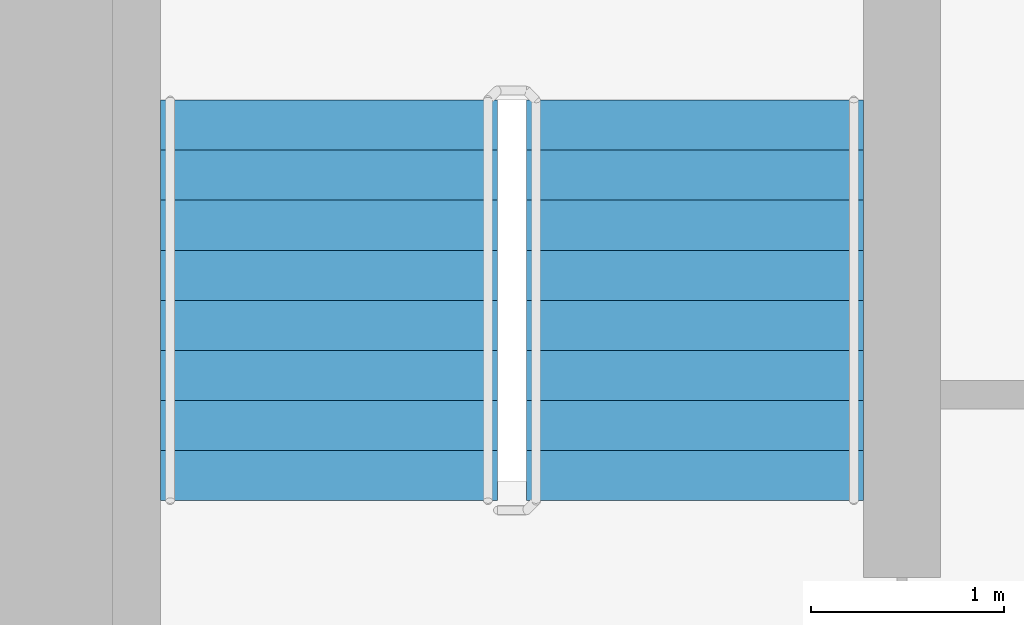
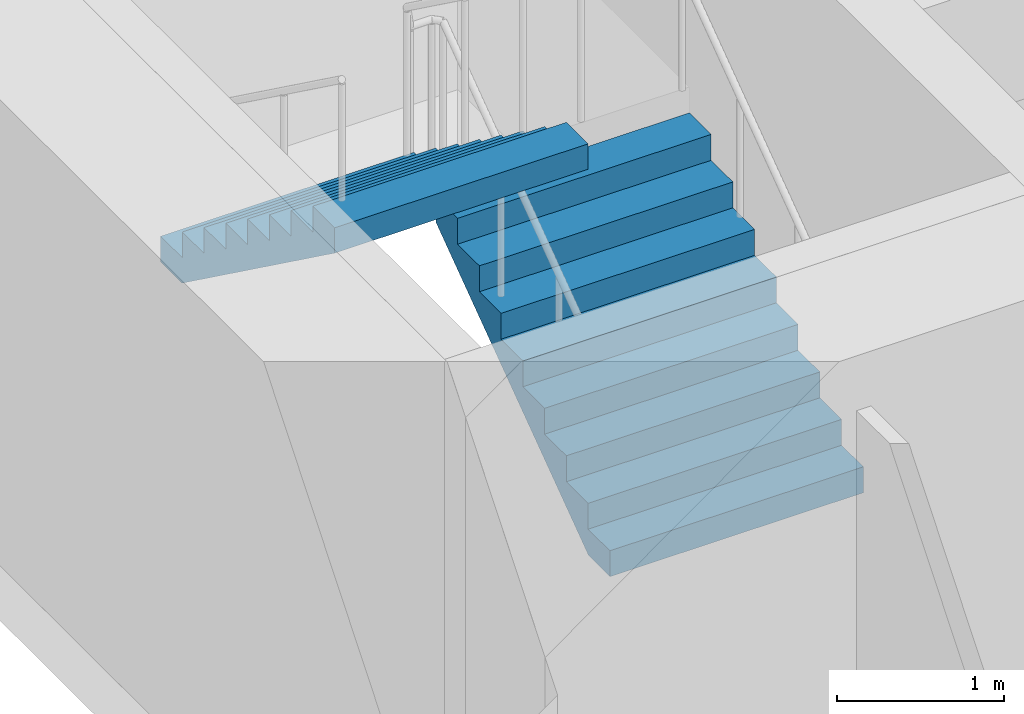
# One storey, part 18 of 22: 2 stair flights, 1 element without a shape of its own.
"""IFC4 building model written with IfcOpenShell, lengths in metres."""

import ifcopenshell
import ifcopenshell.guid

model = None  # the IFC model being written
_history = None  # IfcOwnerHistory: only IFC2X3 demands one
_inside = {}  # id of a spatial element -> (the spatial element, [elements in it])
_under = {}  # id of a project, library or spatial element -> (it, [spatial elements below it])
_declared = {}  # id of a project -> (the project, [libraries it declares])
_typed = {}  # id of a type object -> (the type object, [elements of that type])
_made_of = {}  # id of a material, layer set ... -> (it, [elements and type objects made of it])


def new_model(schema):
    """Start an empty IFC model of exactly this schema.

    Asked for "IFC4X3", IfcOpenShell would pick the latest addendum, in which some entities
    have other attributes; the version numbers below select the first issue.
    IFC2X3 requires an IfcOwnerHistory on every rooted entity: one is made here for all.
    """
    global model, _history
    if schema == "IFC4X3":
        model = ifcopenshell.file(schema_version=(4, 3, 0, 0))
    else:
        model = ifcopenshell.file(schema=schema)
    _inside.clear()
    _under.clear()
    _declared.clear()
    _typed.clear()
    _made_of.clear()
    _history = None
    if model.schema == "IFC2X3":
        org = make("IfcOrganization", Name="unknown")
        user = make(
            "IfcPersonAndOrganization",
            ThePerson=make("IfcPerson", FamilyName="unknown"),
            TheOrganization=org,
        )
        app = make(
            "IfcApplication",
            ApplicationDeveloper=org,
            Version="unknown",
            ApplicationFullName="unknown",
            ApplicationIdentifier="unknown",
        )
        _history = make(
            "IfcOwnerHistory",
            OwningUser=user,
            OwningApplication=app,
            ChangeAction="ADDED",
            CreationDate=0,
        )
    return model


def make(cls, **values):
    """One entity of the class cls with the attributes given. An attribute that is None is left unset."""
    return model.create_entity(
        cls, **{name: value for name, value in values.items() if value is not None}
    )


def rooted(cls, **values):
    """An entity with a GlobalId (a new one), such as an element, a storey or a relation."""
    return make(cls, GlobalId=ifcopenshell.guid.new(), OwnerHistory=_history, **values)


def si_unit(unit_type, name, prefix=None):
    """IfcSIUnit, for example si_unit("LENGTHUNIT", "METRE", prefix="MILLI")."""
    return make("IfcSIUnit", UnitType=unit_type, Prefix=prefix, Name=name)


def assignment(units):
    """IfcUnitAssignment: the units of a project."""
    return None if units is None else make("IfcUnitAssignment", Units=units)


def point(xyz):
    """IfcCartesianPoint."""
    return None if xyz is None else make("IfcCartesianPoint", Coordinates=xyz)


def direction(xyz):
    """IfcDirection."""
    return None if xyz is None else make("IfcDirection", DirectionRatios=xyz)


def frame(location, z_axis=None, x_axis=None):
    """IfcAxis2Placement3D, a coordinate frame: its origin and axes. An axis left out is left unset."""
    return make(
        "IfcAxis2Placement3D",
        Location=point(location),
        Axis=direction(z_axis),
        RefDirection=direction(x_axis),
    )


def origin():
    """The frame at (0, 0, 0) with its axes left unset."""
    return frame((0.0, 0.0, 0.0))


def place(relative_to, where):
    """IfcLocalPlacement: puts the frame where relative to a parent placement (None: the world)."""
    return make(
        "IfcLocalPlacement", PlacementRelTo=relative_to, RelativePlacement=where
    )


def context(
    kind, dimensions, precision=None, world=None, true_north=None, identifier=None
):
    """IfcGeometricRepresentationContext, for example the 3D "Model" context."""
    return make(
        "IfcGeometricRepresentationContext",
        ContextIdentifier=identifier,
        ContextType=kind,
        CoordinateSpaceDimension=dimensions,
        Precision=precision,
        WorldCoordinateSystem=world,
        TrueNorth=true_north,
    )


def subcontext(parent, identifier, kind, view, scale=None):
    """IfcGeometricRepresentationSubContext, for example "Body" below "Model"."""
    return make(
        "IfcGeometricRepresentationSubContext",
        ContextIdentifier=identifier,
        ContextType=kind,
        ParentContext=parent,
        TargetScale=scale,
        TargetView=view,
    )


def project(units=None, contexts=None):
    """IfcProject with its units and contexts."""
    return rooted(
        "IfcProject",
        Name="project",
        RepresentationContexts=contexts,
        UnitsInContext=assignment(units),
    )


def spatial(cls, under=None, at=None, **own):
    """A site, building, storey or space (cls), placed at a placement, below another one or the project."""
    s = rooted(cls, ObjectPlacement=at, **own)
    if under is not None:
        _under.setdefault(under.id(), (under, []))[1].append(s)
    return s


def faces_of(points, faces, orient=None, outer=None):
    """IfcFace entities. A face is a list of loops; a loop is a list of indices into points, from 0.

    orient and outer hold one flag for each loop. By default every Orientation is true, the
    first loop of a face is its IfcFaceOuterBound and the others are IfcFaceBound.
    """
    made = []
    for i, loops in enumerate(faces):
        bounds = []
        for j, loop in enumerate(loops):
            is_outer = j == 0 if outer is None else outer[i][j]
            bounds.append(
                make(
                    "IfcFaceOuterBound" if is_outer else "IfcFaceBound",
                    Bound=make("IfcPolyLoop", Polygon=[points[k] for k in loop]),
                    Orientation=True if orient is None else orient[i][j],
                )
            )
        made.append(make("IfcFace", Bounds=bounds))
    return made


def faceted_brep(points, faces, orient=None, outer=None, voids=None):
    """IfcFacetedBrep: a solid bounded by flat faces; with voids (closed shells), ...WithVoids."""
    shared = [point(p) for p in points]
    hull = make("IfcClosedShell", CfsFaces=faces_of(shared, faces, orient, outer))
    if voids is None:
        return make("IfcFacetedBrep", Outer=hull)
    return make(
        "IfcFacetedBrepWithVoids",
        Outer=hull,
        Voids=[
            make(cls, CfsFaces=faces_of(shared, fs, o, b)) for cls, fs, o, b in voids
        ],
    )


def shape(context_of_items, identifier, shape_type, items):
    """IfcShapeRepresentation: the items that make up one representation, for example the "Body"."""
    return make(
        "IfcShapeRepresentation",
        ContextOfItems=context_of_items,
        RepresentationIdentifier=identifier,
        RepresentationType=shape_type,
        Items=items,
    )


def material(Name=None, Category=None):
    """IfcMaterial."""
    return make("IfcMaterial", Name=Name, Category=Category)


def made_of(thing, what):
    """Note that an element or type object is made of a material, layer set ...; save() writes the relation."""
    if what is not None:
        _made_of.setdefault(what.id(), (what, []))[1].append(thing)
    return thing


def type_object(cls, material=None, **own):
    """A type object (cls), such as IfcWallType, which elements share."""
    return made_of(rooted(cls, **own), material)


def element(
    cls,
    number,
    at=None,
    inside=None,
    cuts=None,
    type_object=None,
    material=None,
    context=None,
    identifier="Body",
    shape_type=None,
    held_by="IfcProductDefinitionShape",
    body=None,
    shapes=None,
    **own,
):
    """One element of the class cls, such as IfcWall. Its Tag is "e" and its number.

    at: its placement. inside: the storey or other place that contains it. cuts: it is an
    opening in that element (IfcRelVoidsElement). A single representation is given by context,
    identifier, shape_type and body (its items); several are given by shapes. held_by: the class
    of the entity that holds the representations. save() writes the other relations.
    """
    e = rooted(cls, Tag="e%d" % number, ObjectPlacement=at, **own)
    if body is not None:
        shapes = [shape(context, identifier, shape_type, body)]
    if shapes is not None:
        e.Representation = make(held_by, Representations=shapes)
    if inside is not None:
        _inside.setdefault(inside.id(), (inside, []))[1].append(e)
    if cuts is not None:
        rooted(
            "IfcRelVoidsElement", RelatingBuildingElement=cuts, RelatedOpeningElement=e
        )
    if type_object is not None:
        _typed.setdefault(type_object.id(), (type_object, []))[1].append(e)
    return made_of(e, material)


def aggregate(whole, parts):
    """IfcRelAggregates: a whole, such as a stair, and the parts it consists of."""
    return rooted("IfcRelAggregates", RelatingObject=whole, RelatedObjects=parts)


def save(model, path):
    """Write the relations noted so far, then the file.

    IfcRelAggregates (storeys below a building ...), IfcRelContainedInSpatialStructure (elements
    in a storey), IfcRelDefinesByType, IfcRelAssociatesMaterial and IfcRelDeclares: one each for
    every whole, place, type object, material and project.
    """
    for whole, parts in _under.values():
        aggregate(whole, parts)
    for where, things in _inside.values():
        rooted(
            "IfcRelContainedInSpatialStructure",
            RelatedElements=things,
            RelatingStructure=where,
        )
    for kind, things in _typed.values():
        rooted("IfcRelDefinesByType", RelatedObjects=things, RelatingType=kind)
    for what, things in _made_of.values():
        rooted("IfcRelAssociatesMaterial", RelatedObjects=things, RelatingMaterial=what)
    for by, libraries in _declared.values():
        rooted("IfcRelDeclares", RelatingContext=by, RelatedDefinitions=libraries)
    model.write(path)


model = new_model("IFC4")

# Units and contexts
model_context = context("Model", 3, precision=1e-05, world=origin(), true_north=direction((0.0, 1.0)))
body_context = subcontext(model_context, "Body", "Model", "MODEL_VIEW")
ifc_project = project(units=[si_unit("LENGTHUNIT", "METRE"), si_unit("AREAUNIT", "SQUARE_METRE"), si_unit("VOLUMEUNIT", "CUBIC_METRE"), si_unit("PLANEANGLEUNIT", "RADIAN"), si_unit("MASSUNIT", "GRAM", prefix="KILO")], contexts=[model_context])

# Site, building, storey
site_placement = place(None, origin())
site = spatial("IfcSite", under=ifc_project, at=site_placement, CompositionType="ELEMENT")
building_placement = place(site_placement, origin())
building = spatial("IfcBuilding", under=site, at=building_placement, Name="Ipe Terrace Towers", CompositionType="ELEMENT")
storey_placement = place(building_placement, frame((0.0, 0.0, 90.199951171875)))
storey = spatial("IfcBuildingStorey", under=building, at=storey_placement, Name="L24", CompositionType="ELEMENT", Elevation=90.199951171875)

# Stair, stair flights
ifc_material_1 = material(Name="Concrete C30/37", Category="concrete")
stair_type = type_object("IfcStairType", Name="Protected exit stair", PredefinedType="HALF_TURN_STAIR", material=ifc_material_1)
stair_placement = place(storey_placement, origin())
stair = element("IfcStair", 1, at=stair_placement, inside=storey, type_object=stair_type, Name="L24 Exit stair T2-C1", PredefinedType="HALF_TURN_STAIR")
ifc_material_2 = material(Name="Concrete C30/37", Category="concrete")
stair_flight_type = type_object("IfcStairFlightType", Name="Exit stair flight 1750", PredefinedType="STRAIGHT", material=ifc_material_2)
stair_flight_1_placement = place(storey_placement, frame((33.22509765625, 9.699951171875, 0.0), z_axis=(0.0, 0.0, 1.0), x_axis=(0.0, 1.0, 0.0)))
stair_flight_1 = element("IfcStairFlight", 2, at=stair_flight_1_placement, type_object=stair_flight_type, Name="T2-ST1 flight 1", NumberOfRisers=9, NumberOfTreads=8, PredefinedType="STRAIGHT", RiserHeight=0.188888889, TreadLength=0.26, context=body_context, shape_type="Brep", body=[
    faceted_brep([(0.255126953125, -0.875, 0.0), (2.080078125, -0.875, 1.325927734375), (2.080078125, -0.875, 1.51123046875), (1.820068359375, -0.875, 1.51123046875), (1.820068359375, -0.875, 1.322265625), (1.56005859375, -0.875, 1.322265625), (1.56005859375, -0.875, 1.13330078125), (1.300048828125, -0.875, 1.13330078125), (1.300048828125, -0.875, 0.9443359375), (1.0400390625, -0.875, 0.9443359375), (1.0400390625, -0.875, 0.755615234375), (0.780029296875, -0.875, 0.755615234375), (0.780029296875, -0.875, 0.566650390625), (0.52001953125, -0.875, 0.566650390625), (0.52001953125, -0.875, 0.377685546875), (0.260009765625, -0.875, 0.377685546875), (0.260009765625, -0.875, 0.18896484375), (0.0, -0.875, 0.18896484375), (0.0, -0.875, 0.0), (0.0, 0.875, 0.0), (0.0, 0.875, 0.18896484375), (0.260009765625, 0.875, 0.18896484375), (0.260009765625, 0.875, 0.377685546875), (0.52001953125, 0.875, 0.377685546875), (0.52001953125, 0.875, 0.566650390625), (0.780029296875, 0.875, 0.566650390625), (0.780029296875, 0.875, 0.755615234375), (1.0400390625, 0.875, 0.755615234375), (1.0400390625, 0.875, 0.9443359375), (1.300048828125, 0.875, 0.9443359375), (1.300048828125, 0.875, 1.13330078125), (1.56005859375, 0.875, 1.13330078125), (1.56005859375, 0.875, 1.322265625), (1.820068359375, 0.875, 1.322265625), (1.820068359375, 0.875, 1.51123046875), (2.080078125, 0.875, 1.51123046875), (2.080078125, 0.875, 1.325927734375), (0.255126953125, 0.875, 0.0), (0.0, -0.300048828125, 0.18896484375), (0.0, -0.1201171875, 0.18896484375), (0.0, -0.06005859375, 0.18896484375), (0.0, -0.030029296875, 0.18896484375), (0.0, -0.010009765625, 0.18896484375), (0.0, 0.0, 0.18896484375), (0.0, 0.010009765625, 0.18896484375), (0.0, 0.030029296875, 0.18896484375), (0.0, 0.06005859375, 0.18896484375), (0.0, 0.1201171875, 0.18896484375), (0.0, 0.300048828125, 0.18896484375), (0.0, 0.300048828125, 0.0), (0.0, 0.1201171875, 0.0), (0.0, 0.06005859375, 0.0), (0.0, 0.030029296875, 0.0), (0.0, 0.010009765625, 0.0), (0.0, 0.0, 0.0), (0.0, -0.010009765625, 0.0), (0.0, -0.030029296875, 0.0), (0.0, -0.06005859375, 0.0), (0.0, -0.1201171875, 0.0), (0.0, -0.300048828125, 0.0), (0.260009765625, -0.300048828125, 0.18896484375), (0.260009765625, -0.1201171875, 0.18896484375), (0.260009765625, -0.06005859375, 0.18896484375), (0.260009765625, -0.030029296875, 0.18896484375), (0.260009765625, -0.010009765625, 0.18896484375), (0.260009765625, 0.0, 0.18896484375), (0.260009765625, 0.010009765625, 0.18896484375), (0.260009765625, 0.030029296875, 0.18896484375), (0.260009765625, 0.06005859375, 0.18896484375), (0.260009765625, 0.1201171875, 0.18896484375), (0.260009765625, 0.300048828125, 0.18896484375), (0.260009765625, -0.300048828125, 0.377685546875), (0.260009765625, -0.1201171875, 0.377685546875), (0.260009765625, -0.06005859375, 0.377685546875), (0.260009765625, -0.030029296875, 0.377685546875), (0.260009765625, -0.010009765625, 0.377685546875), (0.260009765625, 0.0, 0.377685546875), (0.260009765625, 0.010009765625, 0.377685546875), (0.260009765625, 0.030029296875, 0.377685546875), (0.260009765625, 0.06005859375, 0.377685546875), (0.260009765625, 0.1201171875, 0.377685546875), (0.260009765625, 0.300048828125, 0.377685546875), (0.52001953125, -0.300048828125, 0.377685546875), (0.52001953125, -0.1201171875, 0.377685546875), (0.52001953125, -0.06005859375, 0.377685546875), (0.52001953125, -0.030029296875, 0.377685546875), (0.52001953125, -0.010009765625, 0.377685546875), (0.52001953125, 0.0, 0.377685546875), (0.52001953125, 0.010009765625, 0.377685546875), (0.52001953125, 0.030029296875, 0.377685546875), (0.52001953125, 0.06005859375, 0.377685546875), (0.52001953125, 0.1201171875, 0.377685546875), (0.52001953125, 0.300048828125, 0.377685546875), (0.52001953125, -0.300048828125, 0.566650390625), (0.52001953125, -0.1201171875, 0.566650390625), (0.52001953125, -0.06005859375, 0.566650390625), (0.52001953125, -0.030029296875, 0.566650390625), (0.52001953125, -0.010009765625, 0.566650390625), (0.52001953125, 0.0, 0.566650390625), (0.52001953125, 0.010009765625, 0.566650390625), (0.52001953125, 0.030029296875, 0.566650390625), (0.52001953125, 0.06005859375, 0.566650390625), (0.52001953125, 0.1201171875, 0.566650390625), (0.52001953125, 0.300048828125, 0.566650390625), (0.780029296875, -0.300048828125, 0.566650390625), (0.780029296875, -0.1201171875, 0.566650390625), (0.780029296875, -0.06005859375, 0.566650390625), (0.780029296875, -0.030029296875, 0.566650390625), (0.780029296875, -0.010009765625, 0.566650390625), (0.780029296875, 0.0, 0.566650390625), (0.780029296875, 0.010009765625, 0.566650390625), (0.780029296875, 0.030029296875, 0.566650390625), (0.780029296875, 0.06005859375, 0.566650390625), (0.780029296875, 0.1201171875, 0.566650390625), (0.780029296875, 0.300048828125, 0.566650390625), (0.780029296875, -0.300048828125, 0.755615234375), (0.780029296875, -0.1201171875, 0.755615234375), (0.780029296875, -0.06005859375, 0.755615234375), (0.780029296875, -0.030029296875, 0.755615234375), (0.780029296875, -0.010009765625, 0.755615234375), (0.780029296875, 0.0, 0.755615234375), (0.780029296875, 0.010009765625, 0.755615234375), (0.780029296875, 0.030029296875, 0.755615234375), (0.780029296875, 0.06005859375, 0.755615234375), (0.780029296875, 0.1201171875, 0.755615234375), (0.780029296875, 0.300048828125, 0.755615234375), (1.0400390625, -0.300048828125, 0.755615234375), (1.0400390625, -0.1201171875, 0.755615234375), (1.0400390625, -0.06005859375, 0.755615234375), (1.0400390625, -0.030029296875, 0.755615234375), (1.0400390625, -0.010009765625, 0.755615234375), (1.0400390625, 0.0, 0.755615234375), (1.0400390625, 0.010009765625, 0.755615234375), (1.0400390625, 0.030029296875, 0.755615234375), (1.0400390625, 0.06005859375, 0.755615234375), (1.0400390625, 0.1201171875, 0.755615234375), (1.0400390625, 0.300048828125, 0.755615234375), (1.0400390625, -0.300048828125, 0.9443359375), (1.0400390625, -0.1201171875, 0.9443359375), (1.0400390625, -0.06005859375, 0.9443359375), (1.0400390625, -0.030029296875, 0.9443359375), (1.0400390625, -0.010009765625, 0.9443359375), (1.0400390625, 0.0, 0.9443359375), (1.0400390625, 0.010009765625, 0.9443359375), (1.0400390625, 0.030029296875, 0.9443359375), (1.0400390625, 0.06005859375, 0.9443359375), (1.0400390625, 0.1201171875, 0.9443359375), (1.0400390625, 0.300048828125, 0.9443359375), (1.300048828125, -0.300048828125, 0.9443359375), (1.300048828125, -0.1201171875, 0.9443359375), (1.300048828125, -0.06005859375, 0.9443359375), (1.300048828125, -0.030029296875, 0.9443359375), (1.300048828125, -0.010009765625, 0.9443359375), (1.300048828125, 0.0, 0.9443359375), (1.300048828125, 0.010009765625, 0.9443359375), (1.300048828125, 0.030029296875, 0.9443359375), (1.300048828125, 0.06005859375, 0.9443359375), (1.300048828125, 0.1201171875, 0.9443359375), (1.300048828125, 0.300048828125, 0.9443359375), (1.300048828125, -0.300048828125, 1.13330078125), (1.300048828125, -0.1201171875, 1.13330078125), (1.300048828125, -0.06005859375, 1.13330078125), (1.300048828125, -0.030029296875, 1.13330078125), (1.300048828125, -0.010009765625, 1.13330078125), (1.300048828125, 0.0, 1.13330078125), (1.300048828125, 0.010009765625, 1.13330078125), (1.300048828125, 0.030029296875, 1.13330078125), (1.300048828125, 0.06005859375, 1.13330078125), (1.300048828125, 0.1201171875, 1.13330078125), (1.300048828125, 0.300048828125, 1.13330078125), (1.56005859375, -0.300048828125, 1.13330078125), (1.56005859375, -0.1201171875, 1.13330078125), (1.56005859375, -0.06005859375, 1.13330078125), (1.56005859375, -0.030029296875, 1.13330078125), (1.56005859375, -0.010009765625, 1.13330078125), (1.56005859375, 0.0, 1.13330078125), (1.56005859375, 0.010009765625, 1.13330078125), (1.56005859375, 0.030029296875, 1.13330078125), (1.56005859375, 0.06005859375, 1.13330078125), (1.56005859375, 0.1201171875, 1.13330078125), (1.56005859375, 0.300048828125, 1.13330078125), (1.56005859375, -0.300048828125, 1.322265625), (1.56005859375, -0.1201171875, 1.322265625), (1.56005859375, -0.06005859375, 1.322265625), (1.56005859375, -0.030029296875, 1.322265625), (1.56005859375, -0.010009765625, 1.322265625), (1.56005859375, 0.0, 1.322265625), (1.56005859375, 0.010009765625, 1.322265625), (1.56005859375, 0.030029296875, 1.322265625), (1.56005859375, 0.06005859375, 1.322265625), (1.56005859375, 0.1201171875, 1.322265625), (1.56005859375, 0.300048828125, 1.322265625), (1.820068359375, -0.300048828125, 1.322265625), (1.820068359375, -0.1201171875, 1.322265625), (1.820068359375, -0.06005859375, 1.322265625), (1.820068359375, -0.030029296875, 1.322265625), (1.820068359375, -0.010009765625, 1.322265625), (1.820068359375, 0.0, 1.322265625), (1.820068359375, 0.010009765625, 1.322265625), (1.820068359375, 0.030029296875, 1.322265625), (1.820068359375, 0.06005859375, 1.322265625), (1.820068359375, 0.1201171875, 1.322265625), (1.820068359375, 0.300048828125, 1.322265625), (1.820068359375, -0.300048828125, 1.51123046875), (1.820068359375, -0.1201171875, 1.51123046875), (1.820068359375, -0.06005859375, 1.51123046875), (1.820068359375, -0.030029296875, 1.51123046875), (1.820068359375, -0.010009765625, 1.51123046875), (1.820068359375, 0.0, 1.51123046875), (1.820068359375, 0.010009765625, 1.51123046875), (1.820068359375, 0.030029296875, 1.51123046875), (1.820068359375, 0.06005859375, 1.51123046875), (1.820068359375, 0.1201171875, 1.51123046875), (1.820068359375, 0.300048828125, 1.51123046875), (2.080078125, -0.300048828125, 1.51123046875), (2.080078125, -0.1201171875, 1.51123046875), (2.080078125, -0.06005859375, 1.51123046875), (2.080078125, -0.030029296875, 1.51123046875), (2.080078125, -0.010009765625, 1.51123046875), (2.080078125, 0.0, 1.51123046875), (2.080078125, 0.010009765625, 1.51123046875), (2.080078125, 0.030029296875, 1.51123046875), (2.080078125, 0.06005859375, 1.51123046875), (2.080078125, 0.1201171875, 1.51123046875), (2.080078125, 0.300048828125, 1.51123046875), (2.080078125, -0.300048828125, 1.325927734375), (2.080078125, -0.1201171875, 1.325927734375), (2.080078125, -0.06005859375, 1.325927734375), (2.080078125, -0.030029296875, 1.325927734375), (2.080078125, -0.010009765625, 1.325927734375), (2.080078125, 0.0, 1.325927734375), (2.080078125, 0.010009765625, 1.325927734375), (2.080078125, 0.030029296875, 1.325927734375), (2.080078125, 0.06005859375, 1.325927734375), (2.080078125, 0.1201171875, 1.325927734375), (2.080078125, 0.300048828125, 1.325927734375), (0.255126953125, -0.300048828125, 0.0), (0.255126953125, -0.1201171875, 0.0), (0.255126953125, -0.06005859375, 0.0), (0.255126953125, -0.030029296875, 0.0), (0.255126953125, -0.010009765625, 0.0), (0.255126953125, 0.0, 0.0), (0.255126953125, 0.010009765625, 0.0), (0.255126953125, 0.030029296875, 0.0), (0.255126953125, 0.06005859375, 0.0), (0.255126953125, 0.1201171875, 0.0), (0.255126953125, 0.300048828125, 0.0)], [[[0, 1, 2, 3, 4, 5, 6, 7, 8, 9, 10, 11, 12, 13, 14, 15, 16, 17, 18]], [[19, 20, 21, 22, 23, 24, 25, 26, 27, 28, 29, 30, 31, 32, 33, 34, 35, 36, 37]], [[17, 38, 39, 40, 41, 42, 43, 44, 45, 46, 47, 48, 20, 19, 49, 50, 51, 52, 53, 54, 55, 56, 57, 58, 59, 18]], [[16, 60, 61, 62, 63, 64, 65, 66, 67, 68, 69, 70, 21, 20, 48, 47, 46, 45, 44, 43, 42, 41, 40, 39, 38, 17]], [[15, 71, 72, 73, 74, 75, 76, 77, 78, 79, 80, 81, 22, 21, 70, 69, 68, 67, 66, 65, 64, 63, 62, 61, 60, 16]], [[14, 82, 83, 84, 85, 86, 87, 88, 89, 90, 91, 92, 23, 22, 81, 80, 79, 78, 77, 76, 75, 74, 73, 72, 71, 15]], [[13, 93, 94, 95, 96, 97, 98, 99, 100, 101, 102, 103, 24, 23, 92, 91, 90, 89, 88, 87, 86, 85, 84, 83, 82, 14]], [[12, 104, 105, 106, 107, 108, 109, 110, 111, 112, 113, 114, 25, 24, 103, 102, 101, 100, 99, 98, 97, 96, 95, 94, 93, 13]], [[11, 115, 116, 117, 118, 119, 120, 121, 122, 123, 124, 125, 26, 25, 114, 113, 112, 111, 110, 109, 108, 107, 106, 105, 104, 12]], [[10, 126, 127, 128, 129, 130, 131, 132, 133, 134, 135, 136, 27, 26, 125, 124, 123, 122, 121, 120, 119, 118, 117, 116, 115, 11]], [[9, 137, 138, 139, 140, 141, 142, 143, 144, 145, 146, 147, 28, 27, 136, 135, 134, 133, 132, 131, 130, 129, 128, 127, 126, 10]], [[8, 148, 149, 150, 151, 152, 153, 154, 155, 156, 157, 158, 29, 28, 147, 146, 145, 144, 143, 142, 141, 140, 139, 138, 137, 9]], [[7, 159, 160, 161, 162, 163, 164, 165, 166, 167, 168, 169, 30, 29, 158, 157, 156, 155, 154, 153, 152, 151, 150, 149, 148, 8]], [[6, 170, 171, 172, 173, 174, 175, 176, 177, 178, 179, 180, 31, 30, 169, 168, 167, 166, 165, 164, 163, 162, 161, 160, 159, 7]], [[5, 181, 182, 183, 184, 185, 186, 187, 188, 189, 190, 191, 32, 31, 180, 179, 178, 177, 176, 175, 174, 173, 172, 171, 170, 6]], [[4, 192, 193, 194, 195, 196, 197, 198, 199, 200, 201, 202, 33, 32, 191, 190, 189, 188, 187, 186, 185, 184, 183, 182, 181, 5]], [[3, 203, 204, 205, 206, 207, 208, 209, 210, 211, 212, 213, 34, 33, 202, 201, 200, 199, 198, 197, 196, 195, 194, 193, 192, 4]], [[2, 214, 215, 216, 217, 218, 219, 220, 221, 222, 223, 224, 35, 34, 213, 212, 211, 210, 209, 208, 207, 206, 205, 204, 203, 3]], [[1, 225, 226, 227, 228, 229, 230, 231, 232, 233, 234, 235, 36, 35, 224, 223, 222, 221, 220, 219, 218, 217, 216, 215, 214, 2]], [[0, 236, 237, 238, 239, 240, 241, 242, 243, 244, 245, 246, 37, 36, 235, 234, 233, 232, 231, 230, 229, 228, 227, 226, 225, 1]], [[18, 59, 58, 57, 56, 55, 54, 53, 52, 51, 50, 49, 19, 37, 246, 245, 244, 243, 242, 241, 240, 239, 238, 237, 236, 0]]]),
])
stair_flight_2_placement = place(storey_placement, frame((31.324951171875, 11.780029296875, 1.699951171875), z_axis=(0.0, 0.0, 1.0), x_axis=(0.0, -1.0, 0.0)))
stair_flight_2 = element("IfcStairFlight", 3, at=stair_flight_2_placement, type_object=stair_flight_type, Name="T2-ST1 flight 2", NumberOfRisers=9, NumberOfTreads=8, PredefinedType="STRAIGHT", RiserHeight=0.188888889, TreadLength=0.26, context=body_context, shape_type="Brep", body=[
    faceted_brep([(0.255126953125, -0.875, 0.0), (2.080078125, -0.875, 1.325927734375), (2.080078125, -0.875, 1.51123046875), (1.820068359375, -0.875, 1.51123046875), (1.820068359375, -0.875, 1.322265625), (1.56005859375, -0.875, 1.322265625), (1.56005859375, -0.875, 1.13330078125), (1.300048828125, -0.875, 1.13330078125), (1.300048828125, -0.875, 0.9443359375), (1.0400390625, -0.875, 0.9443359375), (1.0400390625, -0.875, 0.755615234375), (0.780029296875, -0.875, 0.755615234375), (0.780029296875, -0.875, 0.566650390625), (0.52001953125, -0.875, 0.566650390625), (0.52001953125, -0.875, 0.377685546875), (0.260009765625, -0.875, 0.377685546875), (0.260009765625, -0.875, 0.18896484375), (0.0, -0.875, 0.18896484375), (0.0, -0.875, 0.0), (0.0, 0.875, 0.0), (0.0, 0.875, 0.18896484375), (0.260009765625, 0.875, 0.18896484375), (0.260009765625, 0.875, 0.377685546875), (0.52001953125, 0.875, 0.377685546875), (0.52001953125, 0.875, 0.566650390625), (0.780029296875, 0.875, 0.566650390625), (0.780029296875, 0.875, 0.755615234375), (1.0400390625, 0.875, 0.755615234375), (1.0400390625, 0.875, 0.9443359375), (1.300048828125, 0.875, 0.9443359375), (1.300048828125, 0.875, 1.13330078125), (1.56005859375, 0.875, 1.13330078125), (1.56005859375, 0.875, 1.322265625), (1.820068359375, 0.875, 1.322265625), (1.820068359375, 0.875, 1.51123046875), (2.080078125, 0.875, 1.51123046875), (2.080078125, 0.875, 1.325927734375), (0.255126953125, 0.875, 0.0), (0.0, -0.300048828125, 0.18896484375), (0.0, -0.1201171875, 0.18896484375), (0.0, -0.06005859375, 0.18896484375), (0.0, -0.030029296875, 0.18896484375), (0.0, -0.010009765625, 0.18896484375), (0.0, 0.0, 0.18896484375), (0.0, 0.010009765625, 0.18896484375), (0.0, 0.030029296875, 0.18896484375), (0.0, 0.06005859375, 0.18896484375), (0.0, 0.1201171875, 0.18896484375), (0.0, 0.300048828125, 0.18896484375), (0.0, 0.300048828125, 0.0), (0.0, 0.1201171875, 0.0), (0.0, 0.06005859375, 0.0), (0.0, 0.030029296875, 0.0), (0.0, 0.010009765625, 0.0), (0.0, 0.0, 0.0), (0.0, -0.010009765625, 0.0), (0.0, -0.030029296875, 0.0), (0.0, -0.06005859375, 0.0), (0.0, -0.1201171875, 0.0), (0.0, -0.300048828125, 0.0), (0.260009765625, -0.300048828125, 0.18896484375), (0.260009765625, -0.1201171875, 0.18896484375), (0.260009765625, -0.06005859375, 0.18896484375), (0.260009765625, -0.030029296875, 0.18896484375), (0.260009765625, -0.010009765625, 0.18896484375), (0.260009765625, 0.0, 0.18896484375), (0.260009765625, 0.010009765625, 0.18896484375), (0.260009765625, 0.030029296875, 0.18896484375), (0.260009765625, 0.06005859375, 0.18896484375), (0.260009765625, 0.1201171875, 0.18896484375), (0.260009765625, 0.300048828125, 0.18896484375), (0.260009765625, -0.300048828125, 0.377685546875), (0.260009765625, -0.1201171875, 0.377685546875), (0.260009765625, -0.06005859375, 0.377685546875), (0.260009765625, -0.030029296875, 0.377685546875), (0.260009765625, -0.010009765625, 0.377685546875), (0.260009765625, 0.0, 0.377685546875), (0.260009765625, 0.010009765625, 0.377685546875), (0.260009765625, 0.030029296875, 0.377685546875), (0.260009765625, 0.06005859375, 0.377685546875), (0.260009765625, 0.1201171875, 0.377685546875), (0.260009765625, 0.300048828125, 0.377685546875), (0.52001953125, -0.300048828125, 0.377685546875), (0.52001953125, -0.1201171875, 0.377685546875), (0.52001953125, -0.06005859375, 0.377685546875), (0.52001953125, -0.030029296875, 0.377685546875), (0.52001953125, -0.010009765625, 0.377685546875), (0.52001953125, 0.0, 0.377685546875), (0.52001953125, 0.010009765625, 0.377685546875), (0.52001953125, 0.030029296875, 0.377685546875), (0.52001953125, 0.06005859375, 0.377685546875), (0.52001953125, 0.1201171875, 0.377685546875), (0.52001953125, 0.300048828125, 0.377685546875), (0.52001953125, -0.300048828125, 0.566650390625), (0.52001953125, -0.1201171875, 0.566650390625), (0.52001953125, -0.06005859375, 0.566650390625), (0.52001953125, -0.030029296875, 0.566650390625), (0.52001953125, -0.010009765625, 0.566650390625), (0.52001953125, 0.0, 0.566650390625), (0.52001953125, 0.010009765625, 0.566650390625), (0.52001953125, 0.030029296875, 0.566650390625), (0.52001953125, 0.06005859375, 0.566650390625), (0.52001953125, 0.1201171875, 0.566650390625), (0.52001953125, 0.300048828125, 0.566650390625), (0.780029296875, -0.300048828125, 0.566650390625), (0.780029296875, -0.1201171875, 0.566650390625), (0.780029296875, -0.06005859375, 0.566650390625), (0.780029296875, -0.030029296875, 0.566650390625), (0.780029296875, -0.010009765625, 0.566650390625), (0.780029296875, 0.0, 0.566650390625), (0.780029296875, 0.010009765625, 0.566650390625), (0.780029296875, 0.030029296875, 0.566650390625), (0.780029296875, 0.06005859375, 0.566650390625), (0.780029296875, 0.1201171875, 0.566650390625), (0.780029296875, 0.300048828125, 0.566650390625), (0.780029296875, -0.300048828125, 0.755615234375), (0.780029296875, -0.1201171875, 0.755615234375), (0.780029296875, -0.06005859375, 0.755615234375), (0.780029296875, -0.030029296875, 0.755615234375), (0.780029296875, -0.010009765625, 0.755615234375), (0.780029296875, 0.0, 0.755615234375), (0.780029296875, 0.010009765625, 0.755615234375), (0.780029296875, 0.030029296875, 0.755615234375), (0.780029296875, 0.06005859375, 0.755615234375), (0.780029296875, 0.1201171875, 0.755615234375), (0.780029296875, 0.300048828125, 0.755615234375), (1.0400390625, -0.300048828125, 0.755615234375), (1.0400390625, -0.1201171875, 0.755615234375), (1.0400390625, -0.06005859375, 0.755615234375), (1.0400390625, -0.030029296875, 0.755615234375), (1.0400390625, -0.010009765625, 0.755615234375), (1.0400390625, 0.0, 0.755615234375), (1.0400390625, 0.010009765625, 0.755615234375), (1.0400390625, 0.030029296875, 0.755615234375), (1.0400390625, 0.06005859375, 0.755615234375), (1.0400390625, 0.1201171875, 0.755615234375), (1.0400390625, 0.300048828125, 0.755615234375), (1.0400390625, -0.300048828125, 0.9443359375), (1.0400390625, -0.1201171875, 0.9443359375), (1.0400390625, -0.06005859375, 0.9443359375), (1.0400390625, -0.030029296875, 0.9443359375), (1.0400390625, -0.010009765625, 0.9443359375), (1.0400390625, 0.0, 0.9443359375), (1.0400390625, 0.010009765625, 0.9443359375), (1.0400390625, 0.030029296875, 0.9443359375), (1.0400390625, 0.06005859375, 0.9443359375), (1.0400390625, 0.1201171875, 0.9443359375), (1.0400390625, 0.300048828125, 0.9443359375), (1.300048828125, -0.300048828125, 0.9443359375), (1.300048828125, -0.1201171875, 0.9443359375), (1.300048828125, -0.06005859375, 0.9443359375), (1.300048828125, -0.030029296875, 0.9443359375), (1.300048828125, -0.010009765625, 0.9443359375), (1.300048828125, 0.0, 0.9443359375), (1.300048828125, 0.010009765625, 0.9443359375), (1.300048828125, 0.030029296875, 0.9443359375), (1.300048828125, 0.06005859375, 0.9443359375), (1.300048828125, 0.1201171875, 0.9443359375), (1.300048828125, 0.300048828125, 0.9443359375), (1.300048828125, -0.300048828125, 1.13330078125), (1.300048828125, -0.1201171875, 1.13330078125), (1.300048828125, -0.06005859375, 1.13330078125), (1.300048828125, -0.030029296875, 1.13330078125), (1.300048828125, -0.010009765625, 1.13330078125), (1.300048828125, 0.0, 1.13330078125), (1.300048828125, 0.010009765625, 1.13330078125), (1.300048828125, 0.030029296875, 1.13330078125), (1.300048828125, 0.06005859375, 1.13330078125), (1.300048828125, 0.1201171875, 1.13330078125), (1.300048828125, 0.300048828125, 1.13330078125), (1.56005859375, -0.300048828125, 1.13330078125), (1.56005859375, -0.1201171875, 1.13330078125), (1.56005859375, -0.06005859375, 1.13330078125), (1.56005859375, -0.030029296875, 1.13330078125), (1.56005859375, -0.010009765625, 1.13330078125), (1.56005859375, 0.0, 1.13330078125), (1.56005859375, 0.010009765625, 1.13330078125), (1.56005859375, 0.030029296875, 1.13330078125), (1.56005859375, 0.06005859375, 1.13330078125), (1.56005859375, 0.1201171875, 1.13330078125), (1.56005859375, 0.300048828125, 1.13330078125), (1.56005859375, -0.300048828125, 1.322265625), (1.56005859375, -0.1201171875, 1.322265625), (1.56005859375, -0.06005859375, 1.322265625), (1.56005859375, -0.030029296875, 1.322265625), (1.56005859375, -0.010009765625, 1.322265625), (1.56005859375, 0.0, 1.322265625), (1.56005859375, 0.010009765625, 1.322265625), (1.56005859375, 0.030029296875, 1.322265625), (1.56005859375, 0.06005859375, 1.322265625), (1.56005859375, 0.1201171875, 1.322265625), (1.56005859375, 0.300048828125, 1.322265625), (1.820068359375, -0.300048828125, 1.322265625), (1.820068359375, -0.1201171875, 1.322265625), (1.820068359375, -0.06005859375, 1.322265625), (1.820068359375, -0.030029296875, 1.322265625), (1.820068359375, -0.010009765625, 1.322265625), (1.820068359375, 0.0, 1.322265625), (1.820068359375, 0.010009765625, 1.322265625), (1.820068359375, 0.030029296875, 1.322265625), (1.820068359375, 0.06005859375, 1.322265625), (1.820068359375, 0.1201171875, 1.322265625), (1.820068359375, 0.300048828125, 1.322265625), (1.820068359375, -0.300048828125, 1.51123046875), (1.820068359375, -0.1201171875, 1.51123046875), (1.820068359375, -0.06005859375, 1.51123046875), (1.820068359375, -0.030029296875, 1.51123046875), (1.820068359375, -0.010009765625, 1.51123046875), (1.820068359375, 0.0, 1.51123046875), (1.820068359375, 0.010009765625, 1.51123046875), (1.820068359375, 0.030029296875, 1.51123046875), (1.820068359375, 0.06005859375, 1.51123046875), (1.820068359375, 0.1201171875, 1.51123046875), (1.820068359375, 0.300048828125, 1.51123046875), (2.080078125, -0.300048828125, 1.51123046875), (2.080078125, -0.1201171875, 1.51123046875), (2.080078125, -0.06005859375, 1.51123046875), (2.080078125, -0.030029296875, 1.51123046875), (2.080078125, -0.010009765625, 1.51123046875), (2.080078125, 0.0, 1.51123046875), (2.080078125, 0.010009765625, 1.51123046875), (2.080078125, 0.030029296875, 1.51123046875), (2.080078125, 0.06005859375, 1.51123046875), (2.080078125, 0.1201171875, 1.51123046875), (2.080078125, 0.300048828125, 1.51123046875), (2.080078125, -0.300048828125, 1.325927734375), (2.080078125, -0.1201171875, 1.325927734375), (2.080078125, -0.06005859375, 1.325927734375), (2.080078125, -0.030029296875, 1.325927734375), (2.080078125, -0.010009765625, 1.325927734375), (2.080078125, 0.0, 1.325927734375), (2.080078125, 0.010009765625, 1.325927734375), (2.080078125, 0.030029296875, 1.325927734375), (2.080078125, 0.06005859375, 1.325927734375), (2.080078125, 0.1201171875, 1.325927734375), (2.080078125, 0.300048828125, 1.325927734375), (0.255126953125, -0.300048828125, 0.0), (0.255126953125, -0.1201171875, 0.0), (0.255126953125, -0.06005859375, 0.0), (0.255126953125, -0.030029296875, 0.0), (0.255126953125, -0.010009765625, 0.0), (0.255126953125, 0.0, 0.0), (0.255126953125, 0.010009765625, 0.0), (0.255126953125, 0.030029296875, 0.0), (0.255126953125, 0.06005859375, 0.0), (0.255126953125, 0.1201171875, 0.0), (0.255126953125, 0.300048828125, 0.0)], [[[0, 1, 2, 3, 4, 5, 6, 7, 8, 9, 10, 11, 12, 13, 14, 15, 16, 17, 18]], [[19, 20, 21, 22, 23, 24, 25, 26, 27, 28, 29, 30, 31, 32, 33, 34, 35, 36, 37]], [[17, 38, 39, 40, 41, 42, 43, 44, 45, 46, 47, 48, 20, 19, 49, 50, 51, 52, 53, 54, 55, 56, 57, 58, 59, 18]], [[16, 60, 61, 62, 63, 64, 65, 66, 67, 68, 69, 70, 21, 20, 48, 47, 46, 45, 44, 43, 42, 41, 40, 39, 38, 17]], [[15, 71, 72, 73, 74, 75, 76, 77, 78, 79, 80, 81, 22, 21, 70, 69, 68, 67, 66, 65, 64, 63, 62, 61, 60, 16]], [[14, 82, 83, 84, 85, 86, 87, 88, 89, 90, 91, 92, 23, 22, 81, 80, 79, 78, 77, 76, 75, 74, 73, 72, 71, 15]], [[13, 93, 94, 95, 96, 97, 98, 99, 100, 101, 102, 103, 24, 23, 92, 91, 90, 89, 88, 87, 86, 85, 84, 83, 82, 14]], [[12, 104, 105, 106, 107, 108, 109, 110, 111, 112, 113, 114, 25, 24, 103, 102, 101, 100, 99, 98, 97, 96, 95, 94, 93, 13]], [[11, 115, 116, 117, 118, 119, 120, 121, 122, 123, 124, 125, 26, 25, 114, 113, 112, 111, 110, 109, 108, 107, 106, 105, 104, 12]], [[10, 126, 127, 128, 129, 130, 131, 132, 133, 134, 135, 136, 27, 26, 125, 124, 123, 122, 121, 120, 119, 118, 117, 116, 115, 11]], [[9, 137, 138, 139, 140, 141, 142, 143, 144, 145, 146, 147, 28, 27, 136, 135, 134, 133, 132, 131, 130, 129, 128, 127, 126, 10]], [[8, 148, 149, 150, 151, 152, 153, 154, 155, 156, 157, 158, 29, 28, 147, 146, 145, 144, 143, 142, 141, 140, 139, 138, 137, 9]], [[7, 159, 160, 161, 162, 163, 164, 165, 166, 167, 168, 169, 30, 29, 158, 157, 156, 155, 154, 153, 152, 151, 150, 149, 148, 8]], [[6, 170, 171, 172, 173, 174, 175, 176, 177, 178, 179, 180, 31, 30, 169, 168, 167, 166, 165, 164, 163, 162, 161, 160, 159, 7]], [[5, 181, 182, 183, 184, 185, 186, 187, 188, 189, 190, 191, 32, 31, 180, 179, 178, 177, 176, 175, 174, 173, 172, 171, 170, 6]], [[4, 192, 193, 194, 195, 196, 197, 198, 199, 200, 201, 202, 33, 32, 191, 190, 189, 188, 187, 186, 185, 184, 183, 182, 181, 5]], [[3, 203, 204, 205, 206, 207, 208, 209, 210, 211, 212, 213, 34, 33, 202, 201, 200, 199, 198, 197, 196, 195, 194, 193, 192, 4]], [[2, 214, 215, 216, 217, 218, 219, 220, 221, 222, 223, 224, 35, 34, 213, 212, 211, 210, 209, 208, 207, 206, 205, 204, 203, 3]], [[1, 225, 226, 227, 228, 229, 230, 231, 232, 233, 234, 235, 36, 35, 224, 223, 222, 221, 220, 219, 218, 217, 216, 215, 214, 2]], [[0, 236, 237, 238, 239, 240, 241, 242, 243, 244, 245, 246, 37, 36, 235, 234, 233, 232, 231, 230, 229, 228, 227, 226, 225, 1]], [[18, 59, 58, 57, 56, 55, 54, 53, 52, 51, 50, 49, 19, 37, 246, 245, 244, 243, 242, 241, 240, 239, 238, 237, 236, 0]]]),
])
aggregate(stair, [stair_flight_1, stair_flight_2])

save(model, "model.ifc")
